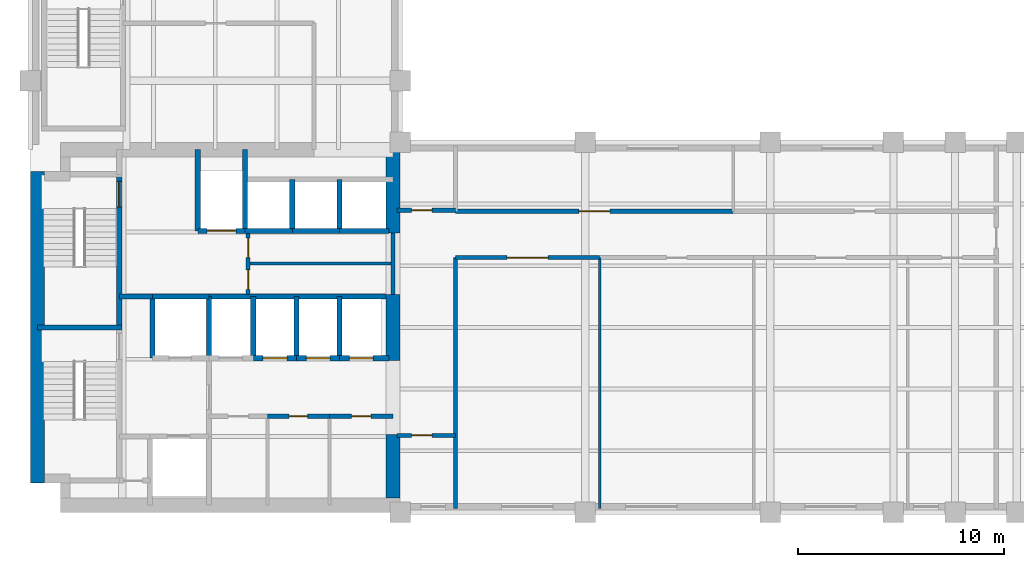
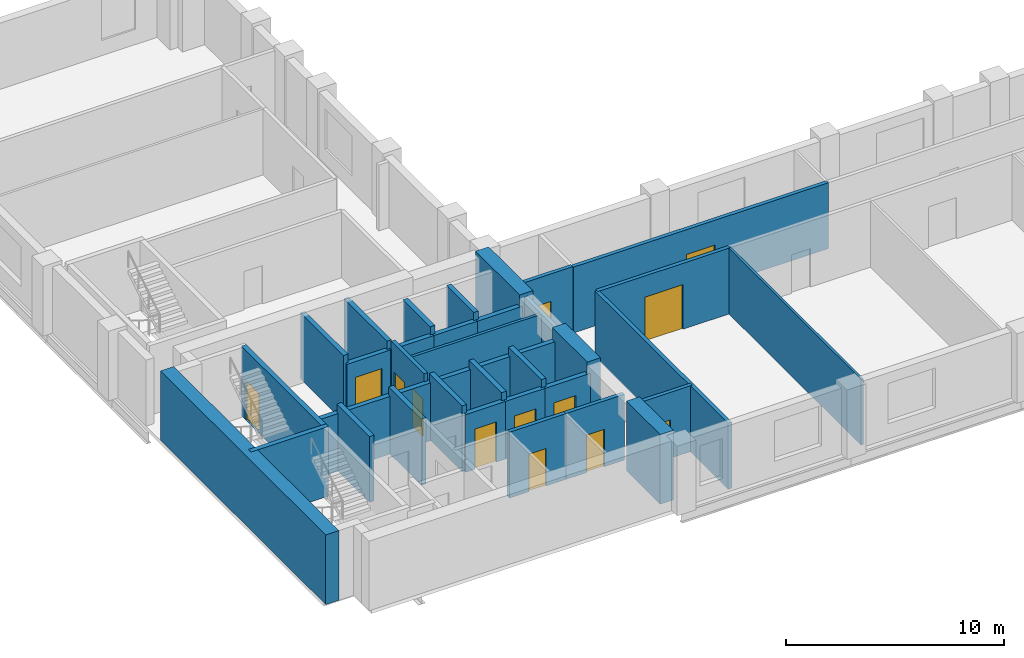
# One storey, part 3 of 7: 36 walls, 13 doors, 13 openings.
"""IFC4 building model written with IfcOpenShell, lengths in metres."""

from ifc_helpers import new_model, si_unit, direction, frame, frame_2d, origin, place, context, subcontext, project, spatial, rectangle, extrude, material, layer, layer_set, type_object, element, fill, save


model = new_model("IFC4")

# Units and contexts
model_context = context("Model", 3, precision=1e-05, world=origin(), true_north=direction((0.0, 1.0)))
body_context = subcontext(model_context, "Body", "Model", "MODEL_VIEW")
ifc_project = project(units=[si_unit("LENGTHUNIT", "METRE"), si_unit("AREAUNIT", "SQUARE_METRE"), si_unit("VOLUMEUNIT", "CUBIC_METRE"), si_unit("PLANEANGLEUNIT", "RADIAN"), si_unit("MASSUNIT", "GRAM", prefix="KILO")], contexts=[model_context])

# Site, building, storey
site_placement = place(None, origin())
site = spatial("IfcSite", under=ifc_project, at=site_placement, CompositionType="ELEMENT")
building_placement = place(site_placement, origin())
building = spatial("IfcBuilding", under=site, at=building_placement, Name="Mawjdan Bourse Tower", CompositionType="ELEMENT")
storey_placement = place(building_placement, frame((0.0, 0.0, 140.10009765625)))
storey = spatial("IfcBuildingStorey", under=building, at=storey_placement, Name="L33", CompositionType="ELEMENT", Elevation=140.10009765625)

# Wall, opening, door
ifc_material_1 = material(Name="Gypsum Fireboard Assembly")
ifc_layer_1 = layer(ifc_material_1, 0.199951171875)
ifc_layer_set_1 = layer_set([ifc_layer_1], Name="Gypsum Fireboard Assembly")
wall_type_1 = type_object("IfcWallType", Name="WL-CMP-200", PredefinedType="PARTITIONING", material=ifc_layer_set_1)
wall_1_placement = place(storey_placement, frame((17.550048828125, 7.679931640625, 0.0), z_axis=(0.0, 0.0, 1.0), x_axis=(1.0, 0.0, 0.0)))
wall_1 = element("IfcWall", 1, at=wall_1_placement, inside=storey, type_object=wall_type_1, Name="L33 IT & Fiber Patch Room North Wall", PredefinedType="PARTITIONING", context=body_context, shape_type="SweptSolid", body=[
    extrude(rectangle(XDim=3.0, YDim=0.199951171875, at=frame_2d((1.5, 0.0))), origin(), (0.0, 0.0, 1.0), 3.68994140625),
])
opening_1_placement = place(wall_1_placement, frame((1.050048828125, 0.0, 0.0)))
opening_1 = element("IfcOpeningElement", 2, at=opening_1_placement, cuts=wall_1, Name="Opening D-L33-11", PredefinedType="OPENING", context=body_context, shape_type="SweptSolid", body=[
    extrude(rectangle(XDim=0.89990234375, YDim=2.10009765625, at=frame_2d((0.449951171875, 1.050048828125))), frame((0.0, 0.10986328125, 0.0), z_axis=(0.0, -1.0, 0.0), x_axis=(1.0, 0.0, 0.0)), (0.0, 0.0, 1.0), 0.219970703125),
])
ifc_material_2 = material(Name="Fire-Rated Steel Access Leaf", Category="steel")
door_type_1 = type_object("IfcDoorType", Name="FD-RSR-0900", OperationType="NOTDEFINED", PredefinedType="TRAPDOOR", material=ifc_material_2)
door_1_placement = place(opening_1_placement, origin())
door_1 = element("IfcDoor", 3, at=door_1_placement, inside=storey, type_object=door_type_1, Name="L33 IT & Fiber Patch Room Door D-L33-11", OperationType="SINGLE_SWING_LEFT", OverallHeight=2.10009765625, OverallWidth=0.89990234375, PredefinedType="TRAPDOOR", context=body_context, shape_type="SweptSolid", body=[
    extrude(rectangle(XDim=0.89990234375, YDim=2.10009765625, at=frame_2d((0.449951171875, 1.050048828125))), frame((0.0, 0.02490234375, 0.0), z_axis=(0.0, -1.0, 0.0), x_axis=(1.0, 0.0, 0.0)), (0.0, 0.0, 1.0), 0.050048828125),
])
fill(opening_1, door_1)

wall_2_placement = place(storey_placement, frame((20.550048828125, 7.679931640625, 0.0), z_axis=(0.0, 0.0, 1.0), x_axis=(1.0, 0.0, 0.0)))
wall_2 = element("IfcWall", 4, at=wall_2_placement, inside=storey, type_object=wall_type_1, Name="L33 Staff Tea Pantry North Wall", PredefinedType="PARTITIONING", context=body_context, shape_type="SweptSolid", body=[
    extrude(rectangle(XDim=3.099853515625, YDim=0.199951171875, at=frame_2d((1.5498046875, 0.0))), origin(), (0.0, 0.0, 1.0), 3.68994140625),
])
opening_2_placement = place(wall_2_placement, frame((1.074951171875, 0.0, 0.0)))
opening_2 = element("IfcOpeningElement", 5, at=opening_2_placement, cuts=wall_2, Name="Opening D-L33-12", PredefinedType="OPENING", context=body_context, shape_type="SweptSolid", body=[
    extrude(rectangle(XDim=0.949951171875, YDim=2.10009765625, at=frame_2d((0.47509765625, 1.050048828125))), frame((0.0, 0.10986328125, 0.0), z_axis=(0.0, -1.0, 0.0), x_axis=(1.0, 0.0, 0.0)), (0.0, 0.0, 1.0), 0.219970703125),
])
ifc_material_3 = material(Name="Moisture-Resistant Laminate Timber", Category="wood")
door_type_2 = type_object("IfcDoorType", Name="DR-WET-0950", OperationType="NOTDEFINED", PredefinedType="DOOR", material=ifc_material_3)
door_2_placement = place(opening_2_placement, origin())
door_2 = element("IfcDoor", 6, at=door_2_placement, inside=storey, type_object=door_type_2, Name="L33 Staff Tea Pantry Door D-L33-12", OperationType="SINGLE_SWING_RIGHT", OverallHeight=2.10009765625, OverallWidth=0.949951171875, PredefinedType="DOOR", context=body_context, shape_type="SweptSolid", body=[
    extrude(rectangle(XDim=0.949951171875, YDim=2.10009765625, at=frame_2d((0.47509765625, 1.050048828125))), frame((0.0, 0.02490234375, 0.0), z_axis=(0.0, -1.0, 0.0), x_axis=(1.0, 0.0, 0.0)), (0.0, 0.0, 1.0), 0.050048828125),
])
fill(opening_2, door_2)

# Wall, openings, doors
wall_3_placement = place(storey_placement, frame((16.60009765625, 13.60009765625, 0.0), z_axis=(0.0, 0.0, 1.0), x_axis=(0.0, 1.0, 0.0)))
wall_3 = element("IfcWall", 7, at=wall_3_placement, inside=storey, type_object=wall_type_1, Name="L33 Core Restroom West Wall", PredefinedType="PARTITIONING", context=body_context, shape_type="SweptSolid", body=[
    extrude(rectangle(XDim=3.0, YDim=0.199951171875, at=frame_2d((1.5, 0.0))), origin(), (0.0, 0.0, 1.0), 3.68994140625),
])
opening_3_placement = place(wall_3_placement, frame((0.25, 0.0, 0.0)))
opening_3 = element("IfcOpeningElement", 8, at=opening_3_placement, cuts=wall_3, Name="Opening D-L33-17", PredefinedType="OPENING", context=body_context, shape_type="SweptSolid", body=[
    extrude(rectangle(XDim=0.949951171875, YDim=2.10009765625, at=frame_2d((0.47509765625, 1.050048828125))), frame((0.0, 0.10986328125, 0.0), z_axis=(0.0, -1.0, 0.0), x_axis=(1.0, 0.0, 0.0)), (0.0, 0.0, 1.0), 0.219970703125),
])
opening_4_placement = place(wall_3_placement, frame((1.800048828125, 0.0, 0.0)))
opening_4 = element("IfcOpeningElement", 9, at=opening_4_placement, cuts=wall_3, Name="Opening D-L33-18", PredefinedType="OPENING", context=body_context, shape_type="SweptSolid", body=[
    extrude(rectangle(XDim=0.949951171875, YDim=2.10009765625, at=frame_2d((0.47509765625, 1.050048828125))), frame((0.0, 0.10986328125, 0.0), z_axis=(0.0, -1.0, 0.0), x_axis=(1.0, 0.0, 0.0)), (0.0, 0.0, 1.0), 0.219970703125),
])
door_3_placement = place(opening_3_placement, origin())
door_3 = element("IfcDoor", 10, at=door_3_placement, inside=storey, type_object=door_type_2, Name="L33 Accessible WC Entry Door D-L33-17", OperationType="SINGLE_SWING_LEFT", OverallHeight=2.10009765625, OverallWidth=0.949951171875, PredefinedType="DOOR", context=body_context, shape_type="SweptSolid", body=[
    extrude(rectangle(XDim=0.949951171875, YDim=2.10009765625, at=frame_2d((0.47509765625, 1.050048828125))), frame((0.0, 0.02490234375, 0.0), z_axis=(0.0, -1.0, 0.0), x_axis=(1.0, 0.0, 0.0)), (0.0, 0.0, 1.0), 0.050048828125),
])
fill(opening_3, door_3)
door_4_placement = place(opening_4_placement, origin())
door_4 = element("IfcDoor", 11, at=door_4_placement, inside=storey, type_object=door_type_2, Name="L33 Male Restroom Entry Door D-L33-18", OperationType="SINGLE_SWING_RIGHT", OverallHeight=2.10009765625, OverallWidth=0.949951171875, PredefinedType="DOOR", context=body_context, shape_type="SweptSolid", body=[
    extrude(rectangle(XDim=0.949951171875, YDim=2.10009765625, at=frame_2d((0.47509765625, 1.050048828125))), frame((0.0, 0.02490234375, 0.0), z_axis=(0.0, -1.0, 0.0), x_axis=(1.0, 0.0, 0.0)), (0.0, 0.0, 1.0), 0.050048828125),
])
fill(opening_4, door_4)

# Wall
wall_4_placement = place(storey_placement, frame((23.64990234375, 13.60009765625, 0.0), z_axis=(0.0, 0.0, 1.0), x_axis=(0.0, 1.0, 0.0)))
element("IfcWall", 12, at=wall_4_placement, inside=storey, type_object=wall_type_1, Name="L33 Core Restroom East Enclosing Wall", PredefinedType="PARTITIONING", context=body_context, shape_type="SweptSolid", body=[
    extrude(rectangle(XDim=3.0, YDim=0.199951171875, at=frame_2d((1.5, 0.0))), origin(), (0.0, 0.0, 1.0), 3.68994140625),
])

# Wall, opening, door
wall_5_placement = place(storey_placement, frame((23.85009765625, 6.75, 0.0), z_axis=(0.0, 0.0, 1.0), x_axis=(1.0, 0.0, 0.0)))
wall_5 = element("IfcWall", 13, at=wall_5_placement, inside=storey, type_object=wall_type_1, Name="L33 West Pocket North Wall", PredefinedType="PARTITIONING", context=body_context, shape_type="SweptSolid", body=[
    extrude(rectangle(XDim=2.849853515625, YDim=0.199951171875, at=frame_2d((1.4248046875, 0.0))), origin(), (0.0, 0.0, 1.0), 3.68994140625),
])
opening_5_placement = place(wall_5_placement, frame((0.699951171875, 0.0, 0.0)))
opening_5 = element("IfcOpeningElement", 14, at=opening_5_placement, cuts=wall_5, Name="Opening D-L33-20", PredefinedType="OPENING", context=body_context, shape_type="SweptSolid", body=[
    extrude(rectangle(XDim=1.0, YDim=2.14990234375, at=frame_2d((0.5, 1.074951171875))), frame((0.0, 0.10986328125, 0.0), z_axis=(0.0, -1.0, 0.0), x_axis=(1.0, 0.0, 0.0)), (0.0, 0.0, 1.0), 0.219970703125),
])
ifc_material_4 = material(Name="Hardwood Acoustic Leaf", Category="wood")
door_type_3 = type_object("IfcDoorType", Name="DR-OFC-1000", OperationType="NOTDEFINED", PredefinedType="DOOR", material=ifc_material_4)
door_5_placement = place(opening_5_placement, origin())
door_5 = element("IfcDoor", 15, at=door_5_placement, inside=storey, type_object=door_type_3, Name="L33 West Pocket Office Door D-L33-20", OperationType="SINGLE_SWING_RIGHT", OverallHeight=2.14990234375, OverallWidth=1.0, PredefinedType="DOOR", context=body_context, shape_type="SweptSolid", body=[
    extrude(rectangle(XDim=1.0, YDim=2.14990234375, at=frame_2d((0.5, 1.074951171875))), frame((0.0, 0.02490234375, 0.0), z_axis=(0.0, -1.0, 0.0), x_axis=(1.0, 0.0, 0.0)), (0.0, 0.0, 1.0), 0.050048828125),
])
fill(opening_5, door_5)

wall_6_placement = place(storey_placement, frame((23.85009765625, 17.699951171875, 0.0), z_axis=(0.0, 0.0, 1.0), x_axis=(1.0, 0.0, 0.0)))
wall_6 = element("IfcWall", 16, at=wall_6_placement, inside=storey, type_object=wall_type_1, Name="L33 West North Pocket Wall", PredefinedType="PARTITIONING", context=body_context, shape_type="SweptSolid", body=[
    extrude(rectangle(XDim=2.849853515625, YDim=0.199951171875, at=frame_2d((1.4248046875, 0.0))), origin(), (0.0, 0.0, 1.0), 3.68994140625),
])
opening_6_placement = place(wall_6_placement, frame((0.699951171875, 0.0, 0.0)))
opening_6 = element("IfcOpeningElement", 17, at=opening_6_placement, cuts=wall_6, Name="Opening D-L33-21", PredefinedType="OPENING", context=body_context, shape_type="SweptSolid", body=[
    extrude(rectangle(XDim=1.0, YDim=2.14990234375, at=frame_2d((0.5, 1.074951171875))), frame((0.0, 0.10986328125, 0.0), z_axis=(0.0, -1.0, 0.0), x_axis=(1.0, 0.0, 0.0)), (0.0, 0.0, 1.0), 0.219970703125),
])
door_6_placement = place(opening_6_placement, origin())
door_6 = element("IfcDoor", 18, at=door_6_placement, inside=storey, type_object=door_type_3, Name="L33 West North Pocket Door D-L33-21", OperationType="SINGLE_SWING_LEFT", OverallHeight=2.14990234375, OverallWidth=1.0, PredefinedType="DOOR", context=body_context, shape_type="SweptSolid", body=[
    extrude(rectangle(XDim=1.0, YDim=2.14990234375, at=frame_2d((0.5, 1.074951171875))), frame((0.0, 0.02490234375, 0.0), z_axis=(0.0, -1.0, 0.0), x_axis=(1.0, 0.0, 0.0)), (0.0, 0.0, 1.0), 0.050048828125),
])
fill(opening_6, door_6)

# Wall
wall_7_placement = place(storey_placement, frame((26.699951171875, 3.179931640625, 0.0), z_axis=(0.0, 0.0, 1.0), x_axis=(0.0, 1.0, 0.0)))
element("IfcWall", 19, at=wall_7_placement, inside=storey, type_object=wall_type_1, Name="L33 Vestibule South East Wall", PredefinedType="PARTITIONING", context=body_context, shape_type="SweptSolid", body=[
    extrude(rectangle(XDim=12.219970703125, YDim=0.199951171875, at=frame_2d((6.10986328125, 0.0))), origin(), (0.0, 0.0, 1.0), 3.68994140625),
])

# Wall, opening, door
wall_8_placement = place(storey_placement, frame((26.699951171875, 15.39990234375, 0.0), z_axis=(0.0, 0.0, 1.0), x_axis=(1.0, 0.0, 0.0)))
wall_8 = element("IfcWall", 20, at=wall_8_placement, inside=storey, type_object=wall_type_1, Name="L33 Custody Services Hall Corridor Wall", PredefinedType="PARTITIONING", context=body_context, shape_type="SweptSolid", body=[
    extrude(rectangle(XDim=7.0, YDim=0.199951171875, at=frame_2d((3.5, 0.0))), origin(), (0.0, 0.0, 1.0), 3.68994140625),
])
opening_7_placement = place(wall_8_placement, frame((2.5, 0.0, 0.0)))
opening_7 = element("IfcOpeningElement", 21, at=opening_7_placement, cuts=wall_8, Name="Opening D-L33-22", PredefinedType="OPENING", context=body_context, shape_type="SweptSolid", body=[
    extrude(rectangle(XDim=2.0, YDim=2.5, at=frame_2d((1.0, 1.25))), frame((0.0, 0.10986328125, 0.0), z_axis=(0.0, -1.0, 0.0), x_axis=(1.0, 0.0, 0.0)), (0.0, 0.0, 1.0), 0.219970703125),
])
ifc_material_5 = material(Name="Acoustic Veneered Timber", Category="wood")
door_type_4 = type_object("IfcDoorType", Name="DR-ASM-2000", OperationType="DOUBLE_DOOR_SINGLE_SWING", PredefinedType="DOOR", material=ifc_material_5)
door_7_placement = place(opening_7_placement, origin())
door_7 = element("IfcDoor", 22, at=door_7_placement, inside=storey, type_object=door_type_4, Name="L33 Custody Services Hall Door D-L33-22", OperationType="DOUBLE_DOOR_SINGLE_SWING", OverallHeight=2.5, OverallWidth=2.0, PredefinedType="DOOR", context=body_context, shape_type="SweptSolid", body=[
    extrude(rectangle(XDim=2.0, YDim=2.5, at=frame_2d((1.0, 1.25))), frame((0.0, 0.02490234375, 0.0), z_axis=(0.0, -1.0, 0.0), x_axis=(1.0, 0.0, 0.0)), (0.0, 0.0, 1.0), 0.050048828125),
])
fill(opening_7, door_7)

wall_9_placement = place(storey_placement, frame((26.699951171875, 17.64990234375, 0.0), z_axis=(0.0, 0.0, 1.0), x_axis=(1.0, 0.0, 0.0)))
wall_9 = element("IfcWall", 23, at=wall_9_placement, inside=storey, type_object=wall_type_1, Name="L33 Conference Room Corridor Wall", PredefinedType="PARTITIONING", context=body_context, shape_type="SweptSolid", body=[
    extrude(rectangle(XDim=13.5, YDim=0.199951171875, at=frame_2d((6.75, 0.0))), origin(), (0.0, 0.0, 1.0), 3.68994140625),
])
opening_8_placement = place(wall_9_placement, frame((6.0, 0.0, 0.0)))
opening_8 = element("IfcOpeningElement", 24, at=opening_8_placement, cuts=wall_9, Name="Opening D-L33-26", PredefinedType="OPENING", context=body_context, shape_type="SweptSolid", body=[
    extrude(rectangle(XDim=1.5, YDim=2.300048828125, at=frame_2d((0.75, 1.14990234375))), frame((0.0, 0.10986328125, 0.0), z_axis=(0.0, -1.0, 0.0), x_axis=(1.0, 0.0, 0.0)), (0.0, 0.0, 1.0), 0.219970703125),
])
ifc_material_6 = material(Name="Acoustic Glazed Timber", Category="wood")
door_type_5 = type_object("IfcDoorType", Name="DR-CNF-1500", OperationType="DOUBLE_DOOR_SINGLE_SWING", PredefinedType="DOOR", material=ifc_material_6)
door_8_placement = place(opening_8_placement, origin())
door_8 = element("IfcDoor", 25, at=door_8_placement, inside=storey, type_object=door_type_5, Name="L33 Conference Room Door D-L33-26", OperationType="DOUBLE_DOOR_SINGLE_SWING", OverallHeight=2.300048828125, OverallWidth=1.5, PredefinedType="DOOR", context=body_context, shape_type="SweptSolid", body=[
    extrude(rectangle(XDim=1.5, YDim=2.300048828125, at=frame_2d((0.75, 1.14990234375))), frame((0.0, 0.02490234375, 0.0), z_axis=(0.0, -1.0, 0.0), x_axis=(1.0, 0.0, 0.0)), (0.0, 0.0, 1.0), 0.050048828125),
])
fill(opening_8, door_8)

# Walls
ifc_material_7 = material(Name="Concrete C70/85", Category="concrete")
ifc_layer_2 = layer(ifc_material_7, 0.699951171875)
ifc_layer_set_2 = layer_set([ifc_layer_2], Name="Concrete C70/85")
wall_type_2 = type_object("IfcWallType", Name="WL-CORE-700", PredefinedType="SHEAR", material=ifc_layer_set_2)
wall_10_placement = place(storey_placement, frame((6.35009765625, 4.425048828125, 0.0), z_axis=(0.0, 0.0, 1.0), x_axis=(0.0, 1.0, 0.0)))
element("IfcWall", 26, at=wall_10_placement, inside=storey, type_object=wall_type_2, Name="L33 Rear Core Shear Wall W", PredefinedType="SHEAR", context=body_context, shape_type="SweptSolid", body=[
    extrude(rectangle(XDim=15.14990234375, YDim=0.699951171875, at=frame_2d((7.574951171875, 0.0))), origin(), (0.0, 0.0, 1.0), 3.89990234375),
])
wall_11_placement = place(storey_placement, frame((23.64990234375, 3.699951171875, 0.0), z_axis=(0.0, 0.0, 1.0), x_axis=(0.0, 1.0, 0.0)))
element("IfcWall", 27, at=wall_11_placement, inside=storey, type_object=wall_type_2, Name="L33 Rear Core Shear Wall E1", PredefinedType="SHEAR", context=body_context, shape_type="SweptSolid", body=[
    extrude(rectangle(XDim=3.10009765625, YDim=0.699951171875, at=frame_2d((1.550048828125, 0.0))), origin(), (0.0, 0.0, 1.0), 3.89990234375),
])
wall_12_placement = place(storey_placement, frame((23.64990234375, 10.39990234375, 0.0), z_axis=(0.0, 0.0, 1.0), x_axis=(0.0, 1.0, 0.0)))
element("IfcWall", 28, at=wall_12_placement, inside=storey, type_object=wall_type_2, Name="L33 Rear Core Shear Wall E2", PredefinedType="SHEAR", context=body_context, shape_type="SweptSolid", body=[
    extrude(rectangle(XDim=3.2001953125, YDim=0.699951171875, at=frame_2d((1.60009765625, 0.0))), origin(), (0.0, 0.0, 1.0), 3.89990234375),
])
wall_13_placement = place(storey_placement, frame((23.64990234375, 16.60009765625, 0.0), z_axis=(0.0, 0.0, 1.0), x_axis=(0.0, 1.0, 0.0)))
element("IfcWall", 29, at=wall_13_placement, inside=storey, type_object=wall_type_2, Name="L33 Rear Core Shear Wall E3", PredefinedType="SHEAR", context=body_context, shape_type="SweptSolid", body=[
    extrude(rectangle(XDim=4.0498046875, YDim=0.699951171875, at=frame_2d((2.02490234375, 0.0))), origin(), (0.0, 0.0, 1.0), 3.89990234375),
])
ifc_material_8 = material(Name="Gypsum Partition")
ifc_layer_3 = layer(ifc_material_8, 0.125)
ifc_layer_set_3 = layer_set([ifc_layer_3], Name="Gypsum Partition")
wall_type_3 = type_object("IfcWallType", Name="WL-PRT-125", PredefinedType="PARTITIONING", material=ifc_layer_set_3)
wall_14_placement = place(storey_placement, frame((33.699951171875, 3.179931640625, 0.0), z_axis=(0.0, 0.0, 1.0), x_axis=(0.0, 1.0, 0.0)))
element("IfcWall", 30, at=wall_14_placement, inside=storey, type_object=wall_type_3, Name="L33 Executive Office Partition", PredefinedType="PARTITIONING", context=body_context, shape_type="SweptSolid", body=[
    extrude(rectangle(XDim=12.219970703125, YDim=0.125, at=frame_2d((6.10986328125, 0.0))), origin(), (0.0, 0.0, 1.0), 3.68994140625),
])
ifc_material_9 = material(Name="Gypsum Acoustic Partition")
ifc_layer_4 = layer(ifc_material_9, 0.14990234375)
ifc_layer_set_4 = layer_set([ifc_layer_4], Name="Gypsum Acoustic Partition")
wall_type_4 = type_object("IfcWallType", Name="WL-PRT-150", PredefinedType="PARTITIONING", material=ifc_layer_set_4)
wall_15_placement = place(storey_placement, frame((16.60009765625, 15.10009765625, 0.0), z_axis=(0.0, 0.0, 1.0), x_axis=(1.0, 0.0, 0.0)))
element("IfcWall", 31, at=wall_15_placement, inside=storey, type_object=wall_type_4, Name="L33 Core Restroom Horizontal Split", PredefinedType="PARTITIONING", context=body_context, shape_type="SweptSolid", body=[
    extrude(rectangle(XDim=7.0498046875, YDim=0.14990234375, at=frame_2d((3.52490234375, 0.0))), origin(), (0.0, 0.0, 1.0), 3.68994140625),
])
ifc_material_10 = material(Name="Concrete C50/60", Category="concrete")
ifc_layer_5 = layer(ifc_material_10, 0.25)
ifc_layer_set_5 = layer_set([ifc_layer_5], Name="Concrete C50/60")
wall_type_5 = type_object("IfcWallType", Name="WL-SHFT-250", PredefinedType="PARTITIONING", material=ifc_layer_set_5)
wall_16_placement = place(storey_placement, frame((11.949951171875, 10.5, 0.0), z_axis=(0.0, 0.0, 1.0), x_axis=(0.0, 1.0, 0.0)))
element("IfcWall", 32, at=wall_16_placement, inside=storey, type_object=wall_type_5, Name="L33 FFL-02 West Shaft Wall", PredefinedType="PARTITIONING", context=body_context, shape_type="SweptSolid", body=[
    extrude(rectangle(XDim=3.0, YDim=0.25, at=frame_2d((1.5, 0.0))), origin(), (0.0, 0.0, 1.0), 3.68994140625),
])
wall_17_placement = place(storey_placement, frame((11.949951171875, 13.5, 0.0), z_axis=(0.0, 0.0, 1.0), x_axis=(1.0, 0.0, 0.0)))
element("IfcWall", 33, at=wall_17_placement, inside=storey, type_object=wall_type_5, Name="L33 FFL-02 North Shaft Wall", PredefinedType="PARTITIONING", context=body_context, shape_type="SweptSolid", body=[
    extrude(rectangle(XDim=2.75, YDim=0.25, at=frame_2d((1.375, 0.0))), origin(), (0.0, 0.0, 1.0), 3.23291015625),
])
wall_18_placement = place(storey_placement, frame((14.699951171875, 10.5, 0.0), z_axis=(0.0, 0.0, 1.0), x_axis=(0.0, 1.0, 0.0)))
element("IfcWall", 34, at=wall_18_placement, inside=storey, type_object=wall_type_5, Name="L33 FFL-02 East Shaft Wall", PredefinedType="PARTITIONING", context=body_context, shape_type="SweptSolid", body=[
    extrude(rectangle(XDim=3.0, YDim=0.25, at=frame_2d((1.5, 0.0))), origin(), (0.0, 0.0, 1.0), 3.68994140625),
])
wall_19_placement = place(storey_placement, frame((10.330078125, 13.5, 0.0), z_axis=(0.0, 0.0, 1.0), x_axis=(1.0, 0.0, 0.0)))
element("IfcWall", 35, at=wall_19_placement, inside=storey, type_object=wall_type_5, Name="L33 Firefighting Lobby North Compartment Wall", PredefinedType="PARTITIONING", context=body_context, shape_type="SweptSolid", body=[
    extrude(rectangle(XDim=1.619873046875, YDim=0.25, at=frame_2d((0.81005859375, 0.0))), origin(), (0.0, 0.0, 1.0), 3.23291015625),
])

# Wall, opening, door
wall_20_placement = place(storey_placement, frame((14.14990234375, 16.699951171875, 0.0), z_axis=(0.0, 0.0, 1.0), x_axis=(1.0, 0.0, 0.0)))
wall_20 = element("IfcWall", 36, at=wall_20_placement, inside=storey, type_object=wall_type_5, Name="L33 SVL-01 Front Shaft Wall", PredefinedType="PARTITIONING", context=body_context, shape_type="SweptSolid", body=[
    extrude(rectangle(XDim=2.300048828125, YDim=0.25, at=frame_2d((1.14990234375, 0.0))), origin(), (0.0, 0.0, 1.0), 3.23291015625),
])
opening_9_placement = place(wall_20_placement, frame((0.449951171875, 0.0, 0.0)))
opening_9 = element("IfcOpeningElement", 37, at=opening_9_placement, cuts=wall_20, Name="Opening LD-L33-09", PredefinedType="OPENING", context=body_context, shape_type="SweptSolid", body=[
    extrude(rectangle(XDim=1.39990234375, YDim=2.35009765625, at=frame_2d((0.699951171875, 1.175048828125))), frame((0.0, 0.135009765625, 0.0), z_axis=(0.0, -1.0, 0.0), x_axis=(1.0, 0.0, 0.0)), (0.0, 0.0, 1.0), 0.27001953125),
])
ifc_material_11 = material(Name="Heavy-Duty Stainless Steel", Category="steel")
door_type_6 = type_object("IfcDoorType", Name="LD-SRV-1400", OperationType="DOUBLE_DOOR_SLIDING", PredefinedType="DOOR", material=ifc_material_11)
door_9_placement = place(opening_9_placement, origin())
door_9 = element("IfcDoor", 38, at=door_9_placement, inside=storey, type_object=door_type_6, Name="L33 Service Lift SVL-01 Landing Door LD-L33-09", OperationType="DOUBLE_DOOR_SLIDING", OverallHeight=2.35009765625, OverallWidth=1.39990234375, PredefinedType="DOOR", context=body_context, shape_type="SweptSolid", body=[
    extrude(rectangle(XDim=1.39990234375, YDim=2.35009765625, at=frame_2d((0.699951171875, 1.175048828125))), frame((0.0, 0.02490234375, 0.0), z_axis=(0.0, -1.0, 0.0), x_axis=(1.0, 0.0, 0.0)), (0.0, 0.0, 1.0), 0.050048828125),
])
fill(opening_9, door_9)

# Walls
for number, where, z_axis, x_axis, name in (
    (39, (14.14990234375, 16.699951171875, 0.0), (0.0, 0.0, 1.0), (0.0, 1.0, 0.0), "L33 SVL-01 West Shaft Wall"),
    (40, (16.449951171875, 16.699951171875, 0.0), (0.0, 0.0, 1.0), (0.0, 1.0, 0.0), "L33 SVL-01 East Shaft Wall"),
):
    element("IfcWall", number, at=place(storey_placement, frame(where, z_axis=z_axis, x_axis=x_axis)), inside=storey, type_object=wall_type_5, Name=name, PredefinedType="PARTITIONING", context=body_context, shape_type="SweptSolid", body=[
        extrude(rectangle(XDim=3.949951171875, YDim=0.25, at=frame_2d((1.97509765625, 0.0))), origin(), (0.0, 0.0, 1.0), 3.68994140625),
    ])
wall_21_placement = place(storey_placement, frame((16.449951171875, 16.699951171875, 0.0), z_axis=(0.0, 0.0, 1.0), x_axis=(1.0, 0.0, 0.0)))
element("IfcWall", 41, at=wall_21_placement, inside=storey, type_object=wall_type_5, Name="L33 PH-01 Front Wall", PredefinedType="PARTITIONING", context=body_context, shape_type="SweptSolid", body=[
    extrude(rectangle(XDim=2.300048828125, YDim=0.25, at=frame_2d((1.14990234375, 0.0))), origin(), (0.0, 0.0, 1.0), 3.23291015625),
])
wall_22_placement = place(storey_placement, frame((18.75, 16.699951171875, 0.0), z_axis=(0.0, 0.0, 1.0), x_axis=(0.0, 1.0, 0.0)))
element("IfcWall", 42, at=wall_22_placement, inside=storey, type_object=wall_type_5, Name="L33 PH-01 Divider Wall", PredefinedType="PARTITIONING", context=body_context, shape_type="SweptSolid", body=[
    extrude(rectangle(XDim=2.5, YDim=0.25, at=frame_2d((1.25, 0.0))), origin(), (0.0, 0.0, 1.0), 3.68994140625),
])
wall_23_placement = place(storey_placement, frame((18.75, 16.699951171875, 0.0), z_axis=(0.0, 0.0, 1.0), x_axis=(1.0, 0.0, 0.0)))
element("IfcWall", 43, at=wall_23_placement, inside=storey, type_object=wall_type_5, Name="L33 PH-02 Front Wall", PredefinedType="PARTITIONING", context=body_context, shape_type="SweptSolid", body=[
    extrude(rectangle(XDim=2.300048828125, YDim=0.25, at=frame_2d((1.14990234375, 0.0))), origin(), (0.0, 0.0, 1.0), 3.23291015625),
])
wall_24_placement = place(storey_placement, frame((21.050048828125, 16.699951171875, 0.0), z_axis=(0.0, 0.0, 1.0), x_axis=(0.0, 1.0, 0.0)))
element("IfcWall", 44, at=wall_24_placement, inside=storey, type_object=wall_type_5, Name="L33 PH-02 Divider Wall", PredefinedType="PARTITIONING", context=body_context, shape_type="SweptSolid", body=[
    extrude(rectangle(XDim=2.5, YDim=0.25, at=frame_2d((1.25, 0.0))), origin(), (0.0, 0.0, 1.0), 3.68994140625),
])
wall_25_placement = place(storey_placement, frame((21.050048828125, 16.699951171875, 0.0), z_axis=(0.0, 0.0, 1.0), x_axis=(1.0, 0.0, 0.0)))
element("IfcWall", 45, at=wall_25_placement, inside=storey, type_object=wall_type_5, Name="L33 PH-03 Front Wall", PredefinedType="PARTITIONING", context=body_context, shape_type="SweptSolid", body=[
    extrude(rectangle(XDim=2.39990234375, YDim=0.25, at=frame_2d((1.199951171875, 0.0))), origin(), (0.0, 0.0, 1.0), 3.23291015625),
])
wall_26_placement = place(storey_placement, frame((16.85009765625, 10.5, 0.0), z_axis=(0.0, 0.0, 1.0), x_axis=(0.0, 1.0, 0.0)))
element("IfcWall", 46, at=wall_26_placement, inside=storey, type_object=wall_type_5, Name="L33 PM-01 Divider Wall", PredefinedType="PARTITIONING", context=body_context, shape_type="SweptSolid", body=[
    extrude(rectangle(XDim=3.0, YDim=0.25, at=frame_2d((1.5, 0.0))), origin(), (0.0, 0.0, 1.0), 3.68994140625),
])

# Wall, opening, door
wall_27_placement = place(storey_placement, frame((16.85009765625, 10.5, 0.0), z_axis=(0.0, 0.0, 1.0), x_axis=(1.0, 0.0, 0.0)))
wall_27 = element("IfcWall", 47, at=wall_27_placement, inside=storey, type_object=wall_type_5, Name="L33 PM-02 Front Wall", PredefinedType="PARTITIONING", context=body_context, shape_type="SweptSolid", body=[
    extrude(rectangle(XDim=2.099853515625, YDim=0.25, at=frame_2d((1.0498046875, 0.0))), origin(), (0.0, 0.0, 1.0), 3.23291015625),
])
opening_10_placement = place(wall_27_placement, frame((0.47998046875, 0.0, 0.0)))
opening_10 = element("IfcOpeningElement", 48, at=opening_10_placement, cuts=wall_27, Name="Opening LD-L33-14", PredefinedType="OPENING", context=body_context, shape_type="SweptSolid", body=[
    extrude(rectangle(XDim=1.14990234375, YDim=2.25, at=frame_2d((0.574951171875, 1.125))), frame((0.0, 0.135009765625, 0.0), z_axis=(0.0, -1.0, 0.0), x_axis=(1.0, 0.0, 0.0)), (0.0, 0.0, 1.0), 0.27001953125),
])
ifc_material_12 = material(Name="Brushed Stainless Steel", Category="steel")
door_type_7 = type_object("IfcDoorType", Name="LD-PAS-1150", OperationType="DOUBLE_DOOR_SLIDING", PredefinedType="DOOR", material=ifc_material_12)
door_10_placement = place(opening_10_placement, origin())
door_10 = element("IfcDoor", 49, at=door_10_placement, inside=storey, type_object=door_type_7, Name="L33 Lift PM-02 Landing Door LD-L33-14", OperationType="DOUBLE_DOOR_SLIDING", OverallHeight=2.25, OverallWidth=1.14990234375, PredefinedType="DOOR", context=body_context, shape_type="SweptSolid", body=[
    extrude(rectangle(XDim=1.14990234375, YDim=2.25, at=frame_2d((0.574951171875, 1.125))), frame((0.0, 0.02490234375, 0.0), z_axis=(0.0, -1.0, 0.0), x_axis=(1.0, 0.0, 0.0)), (0.0, 0.0, 1.0), 0.050048828125),
])
fill(opening_10, door_10)

# Wall
wall_28_placement = place(storey_placement, frame((18.949951171875, 10.5, 0.0), z_axis=(0.0, 0.0, 1.0), x_axis=(0.0, 1.0, 0.0)))
element("IfcWall", 50, at=wall_28_placement, inside=storey, type_object=wall_type_5, Name="L33 PM-02 Divider Wall", PredefinedType="PARTITIONING", context=body_context, shape_type="SweptSolid", body=[
    extrude(rectangle(XDim=3.0, YDim=0.25, at=frame_2d((1.5, 0.0))), origin(), (0.0, 0.0, 1.0), 3.68994140625),
])

# Wall, opening, door
wall_29_placement = place(storey_placement, frame((18.949951171875, 10.5, 0.0), z_axis=(0.0, 0.0, 1.0), x_axis=(1.0, 0.0, 0.0)))
wall_29 = element("IfcWall", 51, at=wall_29_placement, inside=storey, type_object=wall_type_5, Name="L33 PM-03 Front Wall", PredefinedType="PARTITIONING", context=body_context, shape_type="SweptSolid", body=[
    extrude(rectangle(XDim=2.10009765625, YDim=0.25, at=frame_2d((1.050048828125, 0.0))), origin(), (0.0, 0.0, 1.0), 3.23291015625),
])
opening_11_placement = place(wall_29_placement, frame((0.47998046875, 0.0, 0.0)))
opening_11 = element("IfcOpeningElement", 52, at=opening_11_placement, cuts=wall_29, Name="Opening LD-L33-15", PredefinedType="OPENING", context=body_context, shape_type="SweptSolid", body=[
    extrude(rectangle(XDim=1.14990234375, YDim=2.25, at=frame_2d((0.574951171875, 1.125))), frame((0.0, 0.135009765625, 0.0), z_axis=(0.0, -1.0, 0.0), x_axis=(1.0, 0.0, 0.0)), (0.0, 0.0, 1.0), 0.27001953125),
])
door_11_placement = place(opening_11_placement, origin())
door_11 = element("IfcDoor", 53, at=door_11_placement, inside=storey, type_object=door_type_7, Name="L33 Lift PM-03 Landing Door LD-L33-15", OperationType="DOUBLE_DOOR_SLIDING", OverallHeight=2.25, OverallWidth=1.14990234375, PredefinedType="DOOR", context=body_context, shape_type="SweptSolid", body=[
    extrude(rectangle(XDim=1.14990234375, YDim=2.25, at=frame_2d((0.574951171875, 1.125))), frame((0.0, 0.02490234375, 0.0), z_axis=(0.0, -1.0, 0.0), x_axis=(1.0, 0.0, 0.0)), (0.0, 0.0, 1.0), 0.050048828125),
])
fill(opening_11, door_11)

# Wall
wall_30_placement = place(storey_placement, frame((21.050048828125, 10.5, 0.0), z_axis=(0.0, 0.0, 1.0), x_axis=(0.0, 1.0, 0.0)))
element("IfcWall", 54, at=wall_30_placement, inside=storey, type_object=wall_type_5, Name="L33 PM-03 Divider Wall", PredefinedType="PARTITIONING", context=body_context, shape_type="SweptSolid", body=[
    extrude(rectangle(XDim=3.0, YDim=0.25, at=frame_2d((1.5, 0.0))), origin(), (0.0, 0.0, 1.0), 3.68994140625),
])

# Wall, opening, door
wall_31_placement = place(storey_placement, frame((21.050048828125, 10.5, 0.0), z_axis=(0.0, 0.0, 1.0), x_axis=(1.0, 0.0, 0.0)))
wall_31 = element("IfcWall", 55, at=wall_31_placement, inside=storey, type_object=wall_type_5, Name="L33 PM-04 Front Wall", PredefinedType="PARTITIONING", context=body_context, shape_type="SweptSolid", body=[
    extrude(rectangle(XDim=2.39990234375, YDim=0.25, at=frame_2d((1.199951171875, 0.0))), origin(), (0.0, 0.0, 1.0), 3.23291015625),
])
opening_12_placement = place(wall_31_placement, frame((0.47998046875, 0.0, 0.0)))
opening_12 = element("IfcOpeningElement", 56, at=opening_12_placement, cuts=wall_31, Name="Opening LD-L33-16", PredefinedType="OPENING", context=body_context, shape_type="SweptSolid", body=[
    extrude(rectangle(XDim=1.14990234375, YDim=2.25, at=frame_2d((0.574951171875, 1.125))), frame((0.0, 0.135009765625, 0.0), z_axis=(0.0, -1.0, 0.0), x_axis=(1.0, 0.0, 0.0)), (0.0, 0.0, 1.0), 0.27001953125),
])
door_12_placement = place(opening_12_placement, origin())
door_12 = element("IfcDoor", 57, at=door_12_placement, inside=storey, type_object=door_type_7, Name="L33 Lift PM-04 Landing Door LD-L33-16", OperationType="DOUBLE_DOOR_SLIDING", OverallHeight=2.25, OverallWidth=1.14990234375, PredefinedType="DOOR", context=body_context, shape_type="SweptSolid", body=[
    extrude(rectangle(XDim=1.14990234375, YDim=2.25, at=frame_2d((0.574951171875, 1.125))), frame((0.0, 0.02490234375, 0.0), z_axis=(0.0, -1.0, 0.0), x_axis=(1.0, 0.0, 0.0)), (0.0, 0.0, 1.0), 0.050048828125),
])
fill(opening_12, door_12)

# Walls
wall_32_placement = place(storey_placement, frame((14.699951171875, 13.5, 0.0), z_axis=(0.0, 0.0, 1.0), x_axis=(1.0, 0.0, 0.0)))
element("IfcWall", 58, at=wall_32_placement, inside=storey, type_object=wall_type_5, Name="L33 PM Bank North Shaft Back Wall", PredefinedType="PARTITIONING", context=body_context, shape_type="SweptSolid", body=[
    extrude(rectangle(XDim=8.949951171875, YDim=0.25, at=frame_2d((4.47509765625, 0.0))), origin(), (0.0, 0.0, 1.0), 3.23291015625),
])
ifc_layer_6 = layer(ifc_material_10, 0.25)
ifc_layer_set_6 = layer_set([ifc_layer_6], Name="Concrete C50/60")
wall_type_6 = type_object("IfcWallType", Name="WL-STRW-250", PredefinedType="SHEAR", material=ifc_layer_set_6)
wall_33_placement = place(storey_placement, frame((6.35009765625, 12.0, 0.0), z_axis=(0.0, 0.0, 1.0), x_axis=(1.0, 0.0, 0.0)))
element("IfcWall", 59, at=wall_33_placement, inside=storey, type_object=wall_type_6, Name="L33 Stairwell Dividing Shaft Wall", PredefinedType="SHEAR", context=body_context, shape_type="SweptSolid", body=[
    extrude(rectangle(XDim=4.10498046875, YDim=0.25, at=frame_2d((2.052490234375, 0.0))), origin(), (0.0, 0.0, 1.0), 3.89990234375),
])

# Wall, opening, door
wall_34_placement = place(storey_placement, frame((10.330078125, 12.0, 0.0), z_axis=(0.0, 0.0, 1.0), x_axis=(0.0, 1.0, 0.0)))
wall_34 = element("IfcWall", 60, at=wall_34_placement, inside=storey, type_object=wall_type_6, Name="L33 Stairwell ST2 East Enclosure Wall", PredefinedType="SHEAR", context=body_context, shape_type="SweptSolid", body=[
    extrude(rectangle(XDim=7.449951171875, YDim=0.25, at=frame_2d((3.72509765625, 0.0))), origin(), (0.0, 0.0, 1.0), 3.89990234375),
])
opening_13_placement = place(wall_34_placement, frame((5.85009765625, 0.0, 0.0)))
opening_13 = element("IfcOpeningElement", 61, at=opening_13_placement, cuts=wall_34, Name="Opening SD-L33-02", PredefinedType="OPENING", context=body_context, shape_type="SweptSolid", body=[
    extrude(rectangle(XDim=1.25, YDim=2.199951171875, at=frame_2d((0.625, 1.10009765625))), frame((0.0, 0.135009765625, 0.0), z_axis=(0.0, -1.0, 0.0), x_axis=(1.0, 0.0, 0.0)), (0.0, 0.0, 1.0), 0.27001953125),
])
ifc_material_13 = material(Name="Fire-Rated Steel Leaf", Category="steel")
door_type_8 = type_object("IfcDoorType", Name="FD-ST-1250", OperationType="NOTDEFINED", PredefinedType="DOOR", material=ifc_material_13)
door_13_placement = place(opening_13_placement, origin())
door_13 = element("IfcDoor", 62, at=door_13_placement, inside=storey, type_object=door_type_8, Name="L33 Exit Stair ST2 Fire Door SD-L33-02", OperationType="SINGLE_SWING_LEFT", OverallHeight=2.199951171875, OverallWidth=1.25, PredefinedType="DOOR", context=body_context, shape_type="SweptSolid", body=[
    extrude(rectangle(XDim=1.25, YDim=2.199951171875, at=frame_2d((0.625, 1.10009765625))), frame((0.0, 0.02490234375, 0.0), z_axis=(0.0, -1.0, 0.0), x_axis=(1.0, 0.0, 0.0)), (0.0, 0.0, 1.0), 0.050048828125),
])
fill(opening_13, door_13)

save(model, "model.ifc")
